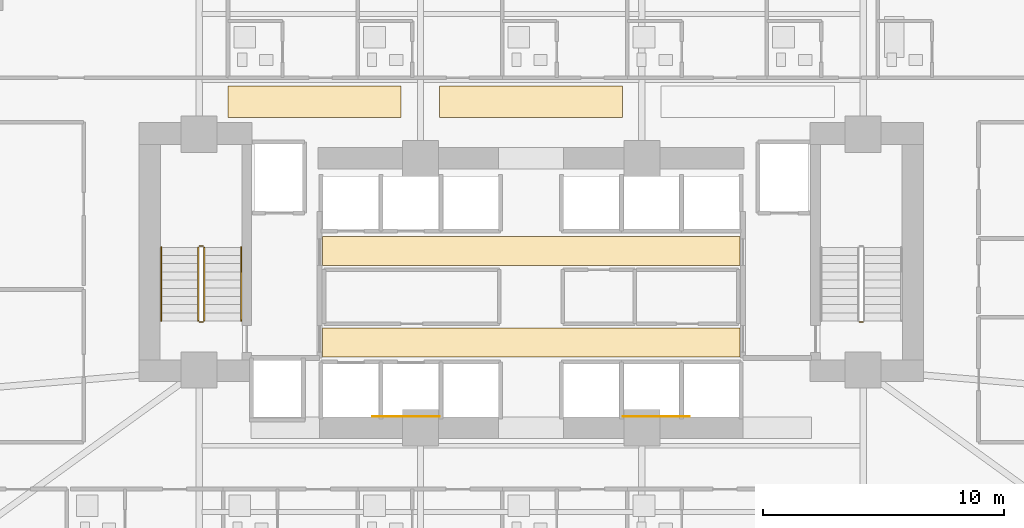
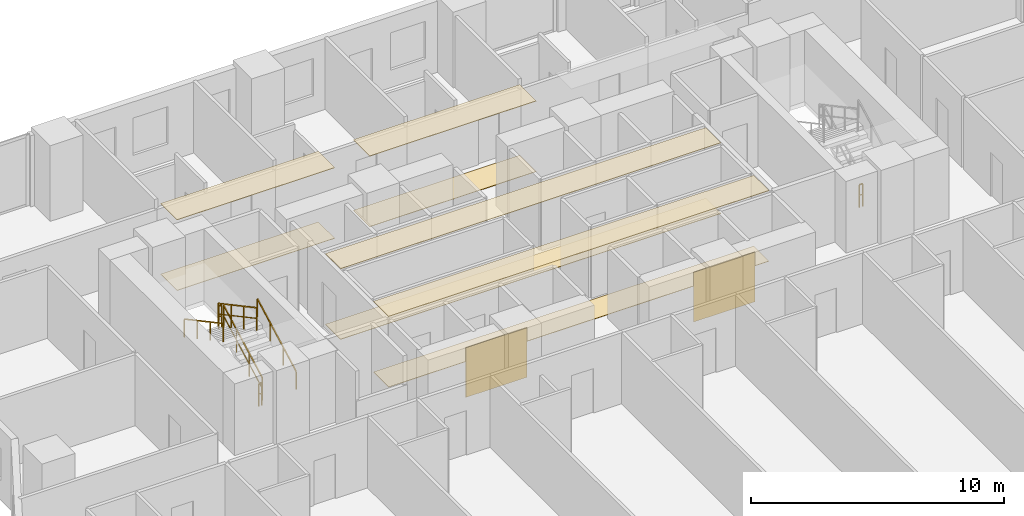
# One storey, part 25 of 28: 10 coverings, 7 railings.
"""IFC4 building model written with IfcOpenShell, lengths in metres."""

import ifcopenshell
import ifcopenshell.guid

model = None  # the IFC model being written
_history = None  # IfcOwnerHistory: only IFC2X3 demands one
_inside = {}  # id of a spatial element -> (the spatial element, [elements in it])
_under = {}  # id of a project, library or spatial element -> (it, [spatial elements below it])
_declared = {}  # id of a project -> (the project, [libraries it declares])
_typed = {}  # id of a type object -> (the type object, [elements of that type])
_made_of = {}  # id of a material, layer set ... -> (it, [elements and type objects made of it])


def new_model(schema):
    """Start an empty IFC model of exactly this schema.

    Asked for "IFC4X3", IfcOpenShell would pick the latest addendum, in which some entities
    have other attributes; the version numbers below select the first issue.
    IFC2X3 requires an IfcOwnerHistory on every rooted entity: one is made here for all.
    """
    global model, _history
    if schema == "IFC4X3":
        model = ifcopenshell.file(schema_version=(4, 3, 0, 0))
    else:
        model = ifcopenshell.file(schema=schema)
    _inside.clear()
    _under.clear()
    _declared.clear()
    _typed.clear()
    _made_of.clear()
    _history = None
    if model.schema == "IFC2X3":
        org = make("IfcOrganization", Name="unknown")
        user = make(
            "IfcPersonAndOrganization",
            ThePerson=make("IfcPerson", FamilyName="unknown"),
            TheOrganization=org,
        )
        app = make(
            "IfcApplication",
            ApplicationDeveloper=org,
            Version="unknown",
            ApplicationFullName="unknown",
            ApplicationIdentifier="unknown",
        )
        _history = make(
            "IfcOwnerHistory",
            OwningUser=user,
            OwningApplication=app,
            ChangeAction="ADDED",
            CreationDate=0,
        )
    return model


def make(cls, **values):
    """One entity of the class cls with the attributes given. An attribute that is None is left unset."""
    return model.create_entity(
        cls, **{name: value for name, value in values.items() if value is not None}
    )


def rooted(cls, **values):
    """An entity with a GlobalId (a new one), such as an element, a storey or a relation."""
    return make(cls, GlobalId=ifcopenshell.guid.new(), OwnerHistory=_history, **values)


def si_unit(unit_type, name, prefix=None):
    """IfcSIUnit, for example si_unit("LENGTHUNIT", "METRE", prefix="MILLI")."""
    return make("IfcSIUnit", UnitType=unit_type, Prefix=prefix, Name=name)


def assignment(units):
    """IfcUnitAssignment: the units of a project."""
    return None if units is None else make("IfcUnitAssignment", Units=units)


def point(xyz):
    """IfcCartesianPoint."""
    return None if xyz is None else make("IfcCartesianPoint", Coordinates=xyz)


def direction(xyz):
    """IfcDirection."""
    return None if xyz is None else make("IfcDirection", DirectionRatios=xyz)


def frame(location, z_axis=None, x_axis=None):
    """IfcAxis2Placement3D, a coordinate frame: its origin and axes. An axis left out is left unset."""
    return make(
        "IfcAxis2Placement3D",
        Location=point(location),
        Axis=direction(z_axis),
        RefDirection=direction(x_axis),
    )


def frame_2d(location, x_axis=None):
    """IfcAxis2Placement2D, a coordinate frame in the plane: its origin and x axis."""
    return make(
        "IfcAxis2Placement2D", Location=point(location), RefDirection=direction(x_axis)
    )


def origin():
    """The frame at (0, 0, 0) with its axes left unset."""
    return frame((0.0, 0.0, 0.0))


def origin_2d():
    """The frame at (0, 0) in the plane with its x axis left unset."""
    return frame_2d((0.0, 0.0))


def place(relative_to, where):
    """IfcLocalPlacement: puts the frame where relative to a parent placement (None: the world)."""
    return make(
        "IfcLocalPlacement", PlacementRelTo=relative_to, RelativePlacement=where
    )


def context(
    kind, dimensions, precision=None, world=None, true_north=None, identifier=None
):
    """IfcGeometricRepresentationContext, for example the 3D "Model" context."""
    return make(
        "IfcGeometricRepresentationContext",
        ContextIdentifier=identifier,
        ContextType=kind,
        CoordinateSpaceDimension=dimensions,
        Precision=precision,
        WorldCoordinateSystem=world,
        TrueNorth=true_north,
    )


def subcontext(parent, identifier, kind, view, scale=None):
    """IfcGeometricRepresentationSubContext, for example "Body" below "Model"."""
    return make(
        "IfcGeometricRepresentationSubContext",
        ContextIdentifier=identifier,
        ContextType=kind,
        ParentContext=parent,
        TargetScale=scale,
        TargetView=view,
    )


def project(units=None, contexts=None):
    """IfcProject with its units and contexts."""
    return rooted(
        "IfcProject",
        Name="project",
        RepresentationContexts=contexts,
        UnitsInContext=assignment(units),
    )


def spatial(cls, under=None, at=None, **own):
    """A site, building, storey or space (cls), placed at a placement, below another one or the project."""
    s = rooted(cls, ObjectPlacement=at, **own)
    if under is not None:
        _under.setdefault(under.id(), (under, []))[1].append(s)
    return s


def polyline(points):
    """IfcPolyline through the points."""
    return make("IfcPolyline", Points=[point(p) for p in points])


def profile(cls, at=None, kind="AREA", **sizes):
    """A parametric profile (cls). Its sizes go by their IFC names, for example OverallWidth=200.0."""
    return make(cls, ProfileType=kind, Position=at, **sizes)


def rectangle(**sizes):
    """IfcRectangleProfileDef."""
    return profile("IfcRectangleProfileDef", **sizes)


def outline(outer, holes=None, kind="AREA"):
    """IfcArbitraryClosedProfileDef: a profile drawn as a closed curve; with holes, ...WithVoids."""
    if holes is None:
        return make("IfcArbitraryClosedProfileDef", ProfileType=kind, OuterCurve=outer)
    return make(
        "IfcArbitraryProfileDefWithVoids",
        ProfileType=kind,
        OuterCurve=outer,
        InnerCurves=holes,
    )


def extrude(swept, where, along, depth):
    """IfcExtrudedAreaSolid: the profile swept, set in the frame where, extruded along a direction by depth."""
    return make(
        "IfcExtrudedAreaSolid",
        SweptArea=swept,
        Position=where,
        ExtrudedDirection=direction(along),
        Depth=depth,
    )


def shape(context_of_items, identifier, shape_type, items):
    """IfcShapeRepresentation: the items that make up one representation, for example the "Body"."""
    return make(
        "IfcShapeRepresentation",
        ContextOfItems=context_of_items,
        RepresentationIdentifier=identifier,
        RepresentationType=shape_type,
        Items=items,
    )


def material(Name=None, Category=None):
    """IfcMaterial."""
    return make("IfcMaterial", Name=Name, Category=Category)


def layer(
    of_material, thickness, ventilated=None, Name=None, Category=None, Priority=None
):
    """IfcMaterialLayer: one layer of a wall or slab, of a material (None: an air gap)."""
    return make(
        "IfcMaterialLayer",
        Material=of_material,
        LayerThickness=thickness,
        IsVentilated=ventilated,
        Name=Name,
        Category=Category,
        Priority=Priority,
    )


def layer_set(layers, Name=None):
    """IfcMaterialLayerSet."""
    return make("IfcMaterialLayerSet", MaterialLayers=layers, LayerSetName=Name)


def made_of(thing, what):
    """Note that an element or type object is made of a material, layer set ...; save() writes the relation."""
    if what is not None:
        _made_of.setdefault(what.id(), (what, []))[1].append(thing)
    return thing


def type_object(cls, material=None, **own):
    """A type object (cls), such as IfcWallType, which elements share."""
    return made_of(rooted(cls, **own), material)


def element(
    cls,
    number,
    at=None,
    inside=None,
    cuts=None,
    type_object=None,
    material=None,
    context=None,
    identifier="Body",
    shape_type=None,
    held_by="IfcProductDefinitionShape",
    body=None,
    shapes=None,
    **own,
):
    """One element of the class cls, such as IfcWall. Its Tag is "e" and its number.

    at: its placement. inside: the storey or other place that contains it. cuts: it is an
    opening in that element (IfcRelVoidsElement). A single representation is given by context,
    identifier, shape_type and body (its items); several are given by shapes. held_by: the class
    of the entity that holds the representations. save() writes the other relations.
    """
    e = rooted(cls, Tag="e%d" % number, ObjectPlacement=at, **own)
    if body is not None:
        shapes = [shape(context, identifier, shape_type, body)]
    if shapes is not None:
        e.Representation = make(held_by, Representations=shapes)
    if inside is not None:
        _inside.setdefault(inside.id(), (inside, []))[1].append(e)
    if cuts is not None:
        rooted(
            "IfcRelVoidsElement", RelatingBuildingElement=cuts, RelatedOpeningElement=e
        )
    if type_object is not None:
        _typed.setdefault(type_object.id(), (type_object, []))[1].append(e)
    return made_of(e, material)


def aggregate(whole, parts):
    """IfcRelAggregates: a whole, such as a stair, and the parts it consists of."""
    return rooted("IfcRelAggregates", RelatingObject=whole, RelatedObjects=parts)


def save(model, path):
    """Write the relations noted so far, then the file.

    IfcRelAggregates (storeys below a building ...), IfcRelContainedInSpatialStructure (elements
    in a storey), IfcRelDefinesByType, IfcRelAssociatesMaterial and IfcRelDeclares: one each for
    every whole, place, type object, material and project.
    """
    for whole, parts in _under.values():
        aggregate(whole, parts)
    for where, things in _inside.values():
        rooted(
            "IfcRelContainedInSpatialStructure",
            RelatedElements=things,
            RelatingStructure=where,
        )
    for kind, things in _typed.values():
        rooted("IfcRelDefinesByType", RelatedObjects=things, RelatingType=kind)
    for what, things in _made_of.values():
        rooted("IfcRelAssociatesMaterial", RelatedObjects=things, RelatingMaterial=what)
    for by, libraries in _declared.values():
        rooted("IfcRelDeclares", RelatingContext=by, RelatedDefinitions=libraries)
    model.write(path)


model = new_model("IFC4")

# Units and contexts
model_context = context("Model", 3, precision=1e-05, world=origin(), true_north=direction((0.0, 1.0)))
body_context = subcontext(model_context, "Body", "Model", "MODEL_VIEW")
ifc_project = project(units=[si_unit("LENGTHUNIT", "METRE"), si_unit("AREAUNIT", "SQUARE_METRE"), si_unit("VOLUMEUNIT", "CUBIC_METRE"), si_unit("PLANEANGLEUNIT", "RADIAN"), si_unit("MASSUNIT", "GRAM", prefix="KILO")], contexts=[model_context])

# Site, building, storey
site_placement = place(None, origin())
site = spatial("IfcSite", under=ifc_project, at=site_placement, CompositionType="ELEMENT")
building_placement = place(site_placement, origin())
building = spatial("IfcBuilding", under=site, at=building_placement, Name="Zuhayl Quay Hotel", CompositionType="ELEMENT")
storey_placement = place(building_placement, frame((0.0, 0.0, 31.25)))
storey = spatial("IfcBuildingStorey", under=building, at=storey_placement, Name="L06", CompositionType="ELEMENT", Elevation=31.25)

# Coverings
ifc_material_1 = material(Name="Acoustic Mineral-Fibre Gypsum Board")
ifc_layer_1 = layer(ifc_material_1, 0.02490234375, Name="Acoustic Mineral-Fibre Gypsum Board")
ifc_layer_set_1 = layer_set([ifc_layer_1], Name="Acoustic Mineral-Fibre Gypsum Board")
covering_type_1 = type_object("IfcCoveringType", Name="CV_CEIL_ACOUSTIC", PredefinedType="CEILING", material=ifc_layer_set_1)
covering_1_placement = place(storey_placement, frame((0.0, 0.0, 3.405029296875)))
element("IfcCovering", 1, at=covering_1_placement, inside=storey, type_object=covering_type_1, Name="L06 Suspended Acoustic Lobby Ceiling S", PredefinedType="CEILING", context=body_context, shape_type="SweptSolid", body=[
    extrude(outline(polyline([(-8.679931640625, 5.10009765625), (8.679931640625, 5.10009765625), (8.679931640625, 6.300048828125), (-8.679931640625, 6.300048828125), (-8.679931640625, 5.10009765625)])), origin(), (0.0, 0.0, 1.0), 0.02490234375),
])
covering_2_placement = place(storey_placement, frame((0.0, 0.0, 3.405029296875)))
element("IfcCovering", 2, at=covering_2_placement, inside=storey, type_object=covering_type_1, Name="L06 Suspended Acoustic Lobby Ceiling N", PredefinedType="CEILING", context=body_context, shape_type="SweptSolid", body=[
    extrude(outline(polyline([(-8.679931640625, 8.89990234375), (8.679931640625, 8.89990234375), (8.679931640625, 10.10009765625), (-8.679931640625, 10.10009765625), (-8.679931640625, 8.89990234375)])), origin(), (0.0, 0.0, 1.0), 0.02490234375),
])
covering_3_placement = place(storey_placement, frame((0.0, 0.0, 3.405029296875)))
element("IfcCovering", 3, at=covering_3_placement, inside=storey, type_object=covering_type_1, Name="L06 Guest Corridor Acoustic Ceiling CW", PredefinedType="CEILING", context=body_context, shape_type="SweptSolid", body=[
    extrude(outline(polyline([(-12.60009765625, 15.050048828125), (-5.39990234375, 15.050048828125), (-5.39990234375, 16.35009765625), (-12.60009765625, 16.35009765625), (-12.60009765625, 15.050048828125)])), origin(), (0.0, 0.0, 1.0), 0.02490234375),
])
covering_4_placement = place(storey_placement, frame((0.0, 0.0, 3.405029296875)))
element("IfcCovering", 4, at=covering_4_placement, inside=storey, type_object=covering_type_1, Name="L06 Guest Corridor Acoustic Ceiling CC", PredefinedType="CEILING", context=body_context, shape_type="SweptSolid", body=[
    extrude(outline(polyline([(-3.800048828125, 15.050048828125), (3.800048828125, 15.050048828125), (3.800048828125, 16.35009765625), (-3.800048828125, 16.35009765625), (-3.800048828125, 15.050048828125)])), origin(), (0.0, 0.0, 1.0), 0.02490234375),
])
ifc_material_2 = material(Name="Polished Limestone Terrazzo", Category="masonry")
ifc_layer_2 = layer(ifc_material_2, 0.02001953125, Name="Polished Limestone Terrazzo", Category="masonry")
ifc_layer_set_2 = layer_set([ifc_layer_2], Name="Polished Limestone Terrazzo")
covering_type_2 = type_object("IfcCoveringType", Name="CV_FLOOR_TERRAZZO", PredefinedType="FLOORING", material=ifc_layer_set_2)
covering_5_placement = place(storey_placement, origin())
element("IfcCovering", 5, at=covering_5_placement, inside=storey, type_object=covering_type_2, Name="L06 Honed Limestone Terrazzo Lobby Flooring S", PredefinedType="FLOORING", context=body_context, shape_type="SweptSolid", body=[
    extrude(outline(polyline([(-8.679931640625, 5.10009765625), (8.679931640625, 5.10009765625), (8.679931640625, 6.300048828125), (-8.679931640625, 6.300048828125), (-8.679931640625, 5.10009765625)])), origin(), (0.0, 0.0, 1.0), 0.02001953125),
])
covering_6_placement = place(storey_placement, origin())
element("IfcCovering", 6, at=covering_6_placement, inside=storey, type_object=covering_type_2, Name="L06 Honed Limestone Terrazzo Lobby Flooring N", PredefinedType="FLOORING", context=body_context, shape_type="SweptSolid", body=[
    extrude(outline(polyline([(-8.679931640625, 8.89990234375), (8.679931640625, 8.89990234375), (8.679931640625, 10.10009765625), (-8.679931640625, 10.10009765625), (-8.679931640625, 8.89990234375)])), origin(), (0.0, 0.0, 1.0), 0.02001953125),
])
covering_7_placement = place(storey_placement, origin())
element("IfcCovering", 7, at=covering_7_placement, inside=storey, type_object=covering_type_2, Name="L06 Guest Corridor Terrazzo Runner CW", PredefinedType="FLOORING", context=body_context, shape_type="SweptSolid", body=[
    extrude(outline(polyline([(-12.60009765625, 15.050048828125), (-5.39990234375, 15.050048828125), (-5.39990234375, 16.35009765625), (-12.60009765625, 16.35009765625), (-12.60009765625, 15.050048828125)])), origin(), (0.0, 0.0, 1.0), 0.02001953125),
])
covering_8_placement = place(storey_placement, origin())
element("IfcCovering", 8, at=covering_8_placement, inside=storey, type_object=covering_type_2, Name="L06 Guest Corridor Terrazzo Runner CC", PredefinedType="FLOORING", context=body_context, shape_type="SweptSolid", body=[
    extrude(outline(polyline([(-3.800048828125, 15.050048828125), (3.800048828125, 15.050048828125), (3.800048828125, 16.35009765625), (-3.800048828125, 16.35009765625), (-3.800048828125, 15.050048828125)])), origin(), (0.0, 0.0, 1.0), 0.02001953125),
])
ifc_material_3 = material(Name="Acoustic Walnut Feature Timber", Category="wood")
ifc_layer_3 = layer(ifc_material_3, 0.02197265625, Name="Acoustic Walnut Feature Timber", Category="wood")
ifc_layer_set_3 = layer_set([ifc_layer_3], Name="Acoustic Walnut Feature Timber")
covering_type_3 = type_object("IfcCoveringType", Name="CV_WALL_CLAD", PredefinedType="CLADDING", material=ifc_layer_set_3)
for number, where, z_axis, x_axis, name in (
    (9, (-5.199951171875, 2.611083984375, 0.300048828125), (0.0, 0.0, 1.0), (1.0, 0.0, 0.0), "L06 Feature Lobby Walnut Wall Cladding W"),
    (10, (5.199951171875, 2.611083984375, 0.300048828125), (0.0, 0.0, 1.0), (1.0, 0.0, 0.0), "L06 Feature Lobby Walnut Wall Cladding E"),
):
    element("IfcCovering", number, at=place(storey_placement, frame(where, z_axis=z_axis, x_axis=x_axis)), inside=storey, type_object=covering_type_3, Name=name, PredefinedType="CLADDING", context=body_context, shape_type="SweptSolid", body=[
        extrude(rectangle(XDim=2.800048828125, YDim=0.02197265625, at=origin_2d()), origin(), (0.0, 0.0, 1.0), 2.39990234375),
    ])

# Railings
ifc_material_4 = material(Name="Steel ASTM A992 Grade 50", Category="steel")
railing_type_1 = type_object("IfcRailingType", Name="RL_GUARD_1100", PredefinedType="GUARDRAIL", material=ifc_material_4)
railing_1_placement = place(storey_placement, frame((-13.590087890625, 6.590087890625, 0.1826171875)))
element("IfcRailing", 11, at=railing_1_placement, inside=storey, type_object=railing_type_1, Name="L06 ST1 stair guard 1", PredefinedType="GUARDRAIL", context=body_context, shape_type="SweptSolid", body=[
    extrude(rectangle(XDim=0.048095703125, YDim=0.048095703125, at=origin_2d()), frame((0.0, 0.0, 1.09619140625), z_axis=(0.0, 0.881102395774, 0.472925541879), x_axis=(-1.0, 0.0, 0.0)), (0.0, 0.0, 1.0), 3.47265625),
    extrude(rectangle(XDim=0.0361328125, YDim=0.0361328125, at=origin_2d()), frame((0.0, 0.0, 0.58251953125), z_axis=(0.0, 0.881102395774, 0.472925541879), x_axis=(-1.0, 0.0, 0.0)), (0.0, 0.0, 1.0), 3.47265625),
    extrude(rectangle(XDim=0.0419921875, YDim=0.0419921875, at=origin_2d()), origin(), (0.0, 0.0, 1.0), 1.072021484375),
    extrude(rectangle(XDim=0.0419921875, YDim=0.0419921875, at=origin_2d()), frame((0.0, 1.02001953125, 0.54736328125)), (0.0, 0.0, 1.0), 1.072021484375),
    extrude(rectangle(XDim=0.0419921875, YDim=0.0419921875, at=origin_2d()), frame((0.0, 2.039794921875, 1.094970703125)), (0.0, 0.0, 1.0), 1.072021484375),
    extrude(rectangle(XDim=0.0419921875, YDim=0.0419921875, at=origin_2d()), frame((0.0, 3.059814453125, 1.642333984375)), (0.0, 0.0, 1.0), 1.072021484375),
])
railing_2_placement = place(storey_placement, frame((-13.639892578125, 9.699951171875, 1.824951171875)))
element("IfcRailing", 12, at=railing_2_placement, inside=storey, type_object=railing_type_1, Name="L06 ST1 stair guard 2", PredefinedType="GUARDRAIL", context=body_context, shape_type="SweptSolid", body=[
    extrude(rectangle(XDim=0.048095703125, YDim=0.048095703125, at=origin_2d()), frame((0.0, 0.0, 1.09619140625), z_axis=(-1.0, 0.0, 0.0), x_axis=(0.0, -1.0, 0.0)), (0.0, 0.0, 1.0), 0.150146484375),
    extrude(rectangle(XDim=0.0361328125, YDim=0.0361328125, at=origin_2d()), frame((0.0, 0.0, 0.58251953125), z_axis=(-1.0, 0.0, 0.0), x_axis=(0.0, -1.0, 0.0)), (0.0, 0.0, 1.0), 0.150146484375),
    extrude(rectangle(XDim=0.0419921875, YDim=0.0419921875, at=origin_2d()), origin(), (0.0, 0.0, 1.0), 1.072021484375),
    extrude(rectangle(XDim=0.0419921875, YDim=0.0419921875, at=origin_2d()), frame((-0.150146484375, 0.0, 0.0)), (0.0, 0.0, 1.0), 1.072021484375),
])
railing_3_placement = place(storey_placement, frame((-13.840087890625, 9.64990234375, 2.007568359375)))
element("IfcRailing", 13, at=railing_3_placement, inside=storey, type_object=railing_type_1, Name="L06 ST1 stair guard 3", PredefinedType="GUARDRAIL", context=body_context, shape_type="SweptSolid", body=[
    extrude(rectangle(XDim=0.048095703125, YDim=0.048095703125, at=origin_2d()), frame((0.0, 0.0, 1.09619140625), z_axis=(0.0, -0.881102395774, 0.472925541879), x_axis=(1.0, 0.0, 0.0)), (0.0, 0.0, 1.0), 3.47265625),
    extrude(rectangle(XDim=0.0361328125, YDim=0.0361328125, at=origin_2d()), frame((0.0, 0.0, 0.58251953125), z_axis=(0.0, -0.881102395774, 0.472925541879), x_axis=(1.0, 0.0, 0.0)), (0.0, 0.0, 1.0), 3.47265625),
    extrude(rectangle(XDim=0.0419921875, YDim=0.0419921875, at=origin_2d()), origin(), (0.0, 0.0, 1.0), 1.072021484375),
    extrude(rectangle(XDim=0.0419921875, YDim=0.0419921875, at=origin_2d()), frame((0.0, -1.02001953125, 0.54736328125)), (0.0, 0.0, 1.0), 1.072021484375),
    extrude(rectangle(XDim=0.0419921875, YDim=0.0419921875, at=origin_2d()), frame((0.0, -2.039794921875, 1.094970703125)), (0.0, 0.0, 1.0), 1.072021484375),
    extrude(rectangle(XDim=0.0419921875, YDim=0.0419921875, at=origin_2d()), frame((0.0, -3.059814453125, 1.642333984375)), (0.0, 0.0, 1.0), 1.072021484375),
])
for number, where, name in (
    (14, (-13.639892578125, 6.5400390625, 0.0), "L06 ST1 stair guard 4"),
    (15, (13.7900390625, 6.5400390625, 0.0), "L06 ST2 stair guard 4"),
):
    element("IfcRailing", number, at=place(storey_placement, frame(where)), inside=storey, type_object=railing_type_1, Name=name, PredefinedType="GUARDRAIL", context=body_context, shape_type="SweptSolid", body=[
        extrude(rectangle(XDim=0.048095703125, YDim=0.048095703125, at=origin_2d()), frame((0.0, 0.0, 1.09619140625), z_axis=(-1.0, 0.0, 0.0), x_axis=(0.0, -1.0, 0.0)), (0.0, 0.0, 1.0), 0.150146484375),
        extrude(rectangle(XDim=0.0361328125, YDim=0.0361328125, at=origin_2d()), frame((0.0, 0.0, 0.58251953125), z_axis=(-1.0, 0.0, 0.0), x_axis=(0.0, -1.0, 0.0)), (0.0, 0.0, 1.0), 0.150146484375),
        extrude(rectangle(XDim=0.0419921875, YDim=0.0419921875, at=origin_2d()), origin(), (0.0, 0.0, 1.0), 1.072021484375),
        extrude(rectangle(XDim=0.0419921875, YDim=0.0419921875, at=origin_2d()), frame((-0.150146484375, 0.0, 0.0)), (0.0, 0.0, 1.0), 1.072021484375),
    ])
railing_type_2 = type_object("IfcRailingType", Name="RL_HANDRAIL_920", PredefinedType="HANDRAIL", material=ifc_material_4)
railing_4_placement = place(storey_placement, frame((-12.050048828125, 6.590087890625, 0.1826171875)))
element("IfcRailing", 16, at=railing_4_placement, inside=storey, type_object=railing_type_2, Name="L06 ST1 stair handrail 1", PredefinedType="HANDRAIL", context=body_context, shape_type="SweptSolid", body=[
    extrude(rectangle(XDim=0.048095703125, YDim=0.048095703125, at=origin_2d()), frame((0.0, 0.0, 0.8759765625), z_axis=(0.0, 0.881102395774, 0.472925541879), x_axis=(-1.0, 0.0, 0.0)), (0.0, 0.0, 1.0), 3.47265625),
    extrude(rectangle(XDim=0.0419921875, YDim=0.0419921875, at=origin_2d()), origin(), (0.0, 0.0, 1.0), 0.851806640625),
    extrude(rectangle(XDim=0.0419921875, YDim=0.0419921875, at=origin_2d()), frame((0.0, 1.02001953125, 0.54736328125)), (0.0, 0.0, 1.0), 0.851806640625),
    extrude(rectangle(XDim=0.0419921875, YDim=0.0419921875, at=origin_2d()), frame((0.0, 2.039794921875, 1.094970703125)), (0.0, 0.0, 1.0), 0.851806640625),
    extrude(rectangle(XDim=0.0419921875, YDim=0.0419921875, at=origin_2d()), frame((0.0, 3.059814453125, 1.642333984375)), (0.0, 0.0, 1.0), 0.851806640625),
])
railing_5_placement = place(storey_placement, frame((-15.3798828125, 9.64990234375, 2.007568359375)))
element("IfcRailing", 17, at=railing_5_placement, inside=storey, type_object=railing_type_2, Name="L06 ST1 stair handrail 2", PredefinedType="HANDRAIL", context=body_context, shape_type="SweptSolid", body=[
    extrude(rectangle(XDim=0.048095703125, YDim=0.048095703125, at=origin_2d()), frame((0.0, 0.0, 0.8759765625), z_axis=(0.0, -0.881102395774, 0.472925541879), x_axis=(1.0, 0.0, 0.0)), (0.0, 0.0, 1.0), 3.47265625),
    extrude(rectangle(XDim=0.0419921875, YDim=0.0419921875, at=origin_2d()), origin(), (0.0, 0.0, 1.0), 0.851806640625),
    extrude(rectangle(XDim=0.0419921875, YDim=0.0419921875, at=origin_2d()), frame((0.0, -1.02001953125, 0.54736328125)), (0.0, 0.0, 1.0), 0.851806640625),
    extrude(rectangle(XDim=0.0419921875, YDim=0.0419921875, at=origin_2d()), frame((0.0, -2.039794921875, 1.094970703125)), (0.0, 0.0, 1.0), 0.851806640625),
    extrude(rectangle(XDim=0.0419921875, YDim=0.0419921875, at=origin_2d()), frame((0.0, -3.059814453125, 1.642333984375)), (0.0, 0.0, 1.0), 0.851806640625),
])

save(model, "model.ifc")
